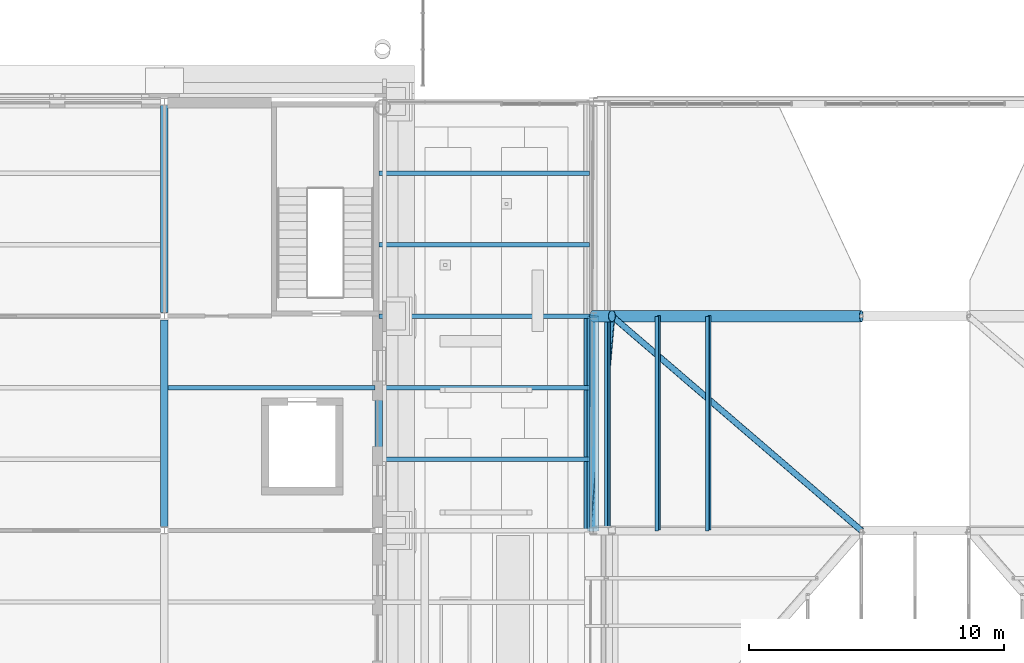
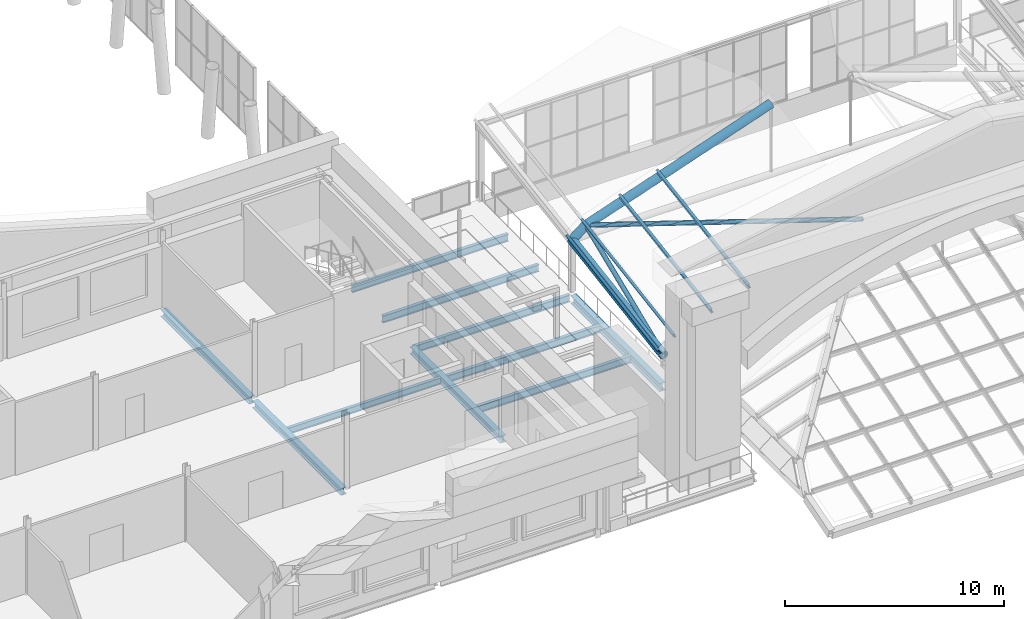
# One storey, part 16 of 76: 13 beams, 6 members.
"""IFC4 building model written with IfcOpenShell, lengths in metres."""

from ifc_helpers import new_model, si_unit, direction, frame, origin, origin_2d, place, context, subcontext, project, spatial, hollow_circle, i_section, extrude, material, material_profile, profile_set, type_object, element, save


model = new_model("IFC4")

# Units and contexts
model_context = context("Model", 3, precision=1e-05, world=origin(), true_north=direction((0.0, 1.0)))
body_context = subcontext(model_context, "Body", "Model", "MODEL_VIEW")
ifc_project = project(units=[si_unit("LENGTHUNIT", "METRE"), si_unit("AREAUNIT", "SQUARE_METRE"), si_unit("VOLUMEUNIT", "CUBIC_METRE"), si_unit("PLANEANGLEUNIT", "RADIAN"), si_unit("MASSUNIT", "GRAM", prefix="KILO")], contexts=[model_context])

# Site, building, storey
site_placement = place(None, origin())
site = spatial("IfcSite", under=ifc_project, at=site_placement, CompositionType="ELEMENT")
building_placement = place(site_placement, origin())
building = spatial("IfcBuilding", under=site, at=building_placement, Name="Sava Quay Ferry Terminal", CompositionType="ELEMENT")
storey_placement = place(building_placement, frame((0.0, 0.0, 10.800048828125)))
storey = spatial("IfcBuildingStorey", under=building, at=storey_placement, Name="L02", CompositionType="ELEMENT", Elevation=10.800048828125)

# Beams
ifc_material_1 = material(Name="Steel S355", Category="steel")
ifc_material_profile_1 = material_profile(ifc_material_1, hollow_circle(Radius=0.228515625, WallThickness=0.01611328125, at=origin_2d()), Name="CHS 457 x 16.0")
ifc_profile_set_1 = profile_set([ifc_material_profile_1], Name="Steel S355")
beam_type_1 = type_object("IfcBeamType", Name="Arch rib CHS 457x16", PredefinedType="BEAM", material=ifc_profile_set_1)
beam_1_placement = place(storey_placement, frame((50.39990234375, 42.0, 2.81494140625), z_axis=(0.788016382432, 0.0, 0.61565427069), x_axis=(0.0, 1.0, 0.0)))
element("IfcBeam", 1, at=beam_1_placement, inside=storey, type_object=beam_type_1, Name="Arrivals hall arch rib R1 seg 1", PredefinedType="BEAM", context=body_context, shape_type="SweptSolid", body=[
    extrude(hollow_circle(Radius=0.228515625, WallThickness=0.01611328125, at=origin_2d()), origin(), (0.0, 0.0, 1.0), 0.92626953125),
])
beam_2_placement = place(storey_placement, frame((51.1298828125, 42.0, 3.38525390625), z_axis=(0.945520775213, 0.0, 0.325561766247), x_axis=(0.0, 1.0, 0.0)))
element("IfcBeam", 2, at=beam_2_placement, inside=storey, type_object=beam_type_1, Name="Arrivals hall arch rib R1 seg 2", PredefinedType="BEAM", context=body_context, shape_type="SweptSolid", body=[
    extrude(hollow_circle(Radius=0.228515625, WallThickness=0.01611328125, at=origin_2d()), origin(), (0.0, 0.0, 1.0), 10.3330078125),
])
ifc_material_2 = material(Name="Steel S355", Category="steel")
ifc_material_profile_2 = material_profile(ifc_material_2, i_section(OverallWidth=0.169921875, OverallDepth=0.360107421875, WebThickness=0.008056640625, FlangeThickness=0.0126953125, at=origin_2d()), Name="IPE 360")
ifc_profile_set_2 = profile_set([ifc_material_profile_2], Name="Steel S355")
beam_type_2 = type_object("IfcBeamType", Name="Beam IPE 360", PredefinedType="BEAM", material=ifc_profile_set_2)
beam_3_placement = place(storey_placement, frame((33.75, 39.199951171875, -0.31005859375), z_axis=(1.0, 0.0, 0.0), x_axis=(0.0, 1.0, 0.0)))
element("IfcBeam", 3, at=beam_3_placement, inside=storey, type_object=beam_type_2, Name="Secondary beam L02", PredefinedType="BEAM", context=body_context, shape_type="SweptSolid", body=[
    extrude(i_section(OverallWidth=0.169921875, OverallDepth=0.360107421875, WebThickness=0.008056640625, FlangeThickness=0.0126953125, at=origin_2d()), origin(), (0.0, 0.0, 1.0), 8.10009765625),
])
ifc_material_3 = material(Name="Steel S355", Category="steel")
ifc_material_profile_3 = material_profile(ifc_material_3, i_section(OverallWidth=0.179931640625, OverallDepth=0.39990234375, WebThickness=0.008544921875, FlangeThickness=0.013427734375, at=origin_2d()), Name="IPE 400")
ifc_profile_set_3 = profile_set([ifc_material_profile_3], Name="Steel S355")
beam_type_3 = type_object("IfcBeamType", Name="Beam IPE 400", PredefinedType="BEAM", material=ifc_profile_set_3)
beam_4_placement = place(storey_placement, frame((42.0, 42.0, -0.35009765625), z_axis=(1.0, 0.0, 0.0), x_axis=(0.0, 1.0, 0.0)))
element("IfcBeam", 4, at=beam_4_placement, inside=storey, type_object=beam_type_3, Name="Beam L02", PredefinedType="BEAM", context=body_context, shape_type="SweptSolid", body=[
    extrude(i_section(OverallWidth=0.179931640625, OverallDepth=0.39990234375, WebThickness=0.008544921875, FlangeThickness=0.013427734375, at=origin_2d()), origin(), (0.0, 0.0, 1.0), 8.27001953125),
])
for number, where, z_axis, x_axis, name in (
    (5, (42.14990234375, 36.39990234375, -0.35009765625), (1.0, 0.0, 0.0), (0.0, 1.0, 0.0), "Secondary beam L02"),
    (6, (42.14990234375, 39.199951171875, -0.35009765625), (1.0, 0.0, 0.0), (0.0, 1.0, 0.0), "Secondary beam L02"),
):
    element("IfcBeam", number, at=place(storey_placement, frame(where, z_axis=z_axis, x_axis=x_axis)), inside=storey, type_object=beam_type_3, Name=name, PredefinedType="BEAM", context=body_context, shape_type="SweptSolid", body=[
        extrude(i_section(OverallWidth=0.179931640625, OverallDepth=0.39990234375, WebThickness=0.008544921875, FlangeThickness=0.013427734375, at=origin_2d()), origin(), (0.0, 0.0, 1.0), 8.10009765625),
    ])
for number, where, z_axis, x_axis, name in (
    (7, (42.0, 44.800048828125, -0.35009765625), (1.0, 0.0, 0.0), (0.0, 1.0, 0.0), "Secondary beam L02"),
    (8, (42.0, 47.60009765625, -0.35009765625), (1.0, 0.0, 0.0), (0.0, 1.0, 0.0), "Secondary beam L02"),
):
    element("IfcBeam", number, at=place(storey_placement, frame(where, z_axis=z_axis, x_axis=x_axis)), inside=storey, type_object=beam_type_3, Name=name, PredefinedType="BEAM", context=body_context, shape_type="SweptSolid", body=[
        extrude(i_section(OverallWidth=0.179931640625, OverallDepth=0.39990234375, WebThickness=0.008544921875, FlangeThickness=0.013427734375, at=origin_2d()), origin(), (0.0, 0.0, 1.0), 8.25),
    ])
ifc_material_4 = material(Name="Steel S355", Category="steel")
ifc_material_profile_4 = material_profile(ifc_material_4, hollow_circle(Radius=0.228515625, WallThickness=0.01611328125, at=origin_2d()), Name="CHS 457 x 16.0")
ifc_profile_set_4 = profile_set([ifc_material_profile_4], Name="Steel S355")
beam_type_4 = type_object("IfcBeamType", Name="Eave beam CHS 457x16", PredefinedType="BEAM", material=ifc_profile_set_4)
beam_5_placement = place(storey_placement, frame((50.39990234375, 33.60009765625, 1.466064453125), z_axis=(0.0, 0.987350755247, 0.158551209752), x_axis=(-1.0, 0.0, 0.0)))
element("IfcBeam", 9, at=beam_5_placement, inside=storey, type_object=beam_type_4, Name="Arrivals hall eave beam L1", PredefinedType="BEAM", context=body_context, shape_type="SweptSolid", body=[
    extrude(hollow_circle(Radius=0.228515625, WallThickness=0.01611328125, at=origin_2d()), origin(), (0.0, 0.0, 1.0), 8.507568359375),
])
ifc_material_5 = material(Name="Steel S355", Category="steel")
ifc_material_profile_5 = material_profile(ifc_material_5, i_section(OverallWidth=0.300048828125, OverallDepth=0.389892578125, WebThickness=0.010986328125, FlangeThickness=0.01904296875, at=origin_2d()), Name="HE 400 A")
ifc_profile_set_5 = profile_set([ifc_material_profile_5], Name="Steel S355")
beam_type_5 = type_object("IfcBeamType", Name="Girder HE 400 A", PredefinedType="BEAM", material=ifc_profile_set_5)
for number, where, z_axis, x_axis, name in (
    (10, (33.60009765625, 33.75, -0.324951171875), (0.0, 1.0, 0.0), (-1.0, 0.0, 0.0), "Girder L02"),
    (11, (33.60009765625, 42.14990234375, -0.324951171875), (0.0, 1.0, 0.0), (-1.0, 0.0, 0.0), "Girder L02"),
):
    element("IfcBeam", number, at=place(storey_placement, frame(where, z_axis=z_axis, x_axis=x_axis)), inside=storey, type_object=beam_type_5, Name=name, PredefinedType="BEAM", context=body_context, shape_type="SweptSolid", body=[
        extrude(i_section(OverallWidth=0.300048828125, OverallDepth=0.389892578125, WebThickness=0.010986328125, FlangeThickness=0.01904296875, at=origin_2d()), origin(), (0.0, 0.0, 1.0), 8.10009765625),
    ])
beam_6_placement = place(storey_placement, frame((42.0, 33.72998046875, -0.344970703125), z_axis=(0.0, 1.0, 0.0), x_axis=(-1.0, 0.0, 0.0)))
element("IfcBeam", 12, at=beam_6_placement, inside=storey, type_object=beam_type_5, Name="Girder L02", PredefinedType="BEAM", context=body_context, shape_type="SweptSolid", body=[
    extrude(i_section(OverallWidth=0.300048828125, OverallDepth=0.389892578125, WebThickness=0.010986328125, FlangeThickness=0.01904296875, at=origin_2d()), origin(), (0.0, 0.0, 1.0), 8.27001953125),
])
ifc_material_6 = material(Name="Steel S355", Category="steel")
ifc_material_profile_6 = material_profile(ifc_material_6, i_section(OverallWidth=0.300048828125, OverallDepth=0.449951171875, WebThickness=0.013916015625, FlangeThickness=0.02587890625, at=origin_2d()), Name="HE 450 B")
ifc_profile_set_6 = profile_set([ifc_material_profile_6], Name="Steel S355")
beam_type_6 = type_object("IfcBeamType", Name="Girder HE 450 B", PredefinedType="BEAM", material=ifc_profile_set_6)
beam_7_placement = place(storey_placement, frame((50.39990234375, 33.72998046875, -0.375), z_axis=(0.0, 1.0, 0.0), x_axis=(-1.0, 0.0, 0.0)))
element("IfcBeam", 13, at=beam_7_placement, inside=storey, type_object=beam_type_6, Name="Girder L02", PredefinedType="BEAM", context=body_context, shape_type="SweptSolid", body=[
    extrude(i_section(OverallWidth=0.300048828125, OverallDepth=0.449951171875, WebThickness=0.013916015625, FlangeThickness=0.02587890625, at=origin_2d()), origin(), (0.0, 0.0, 1.0), 8.14013671875),
])

# Members
ifc_material_7 = material(Name="Steel S355", Category="steel")
ifc_material_profile_7 = material_profile(ifc_material_7, hollow_circle(Radius=0.122314453125, WallThickness=0.008056640625, at=origin_2d()), Name="CHS 244.5 x 8.0")
ifc_profile_set_7 = profile_set([ifc_material_profile_7], Name="Steel S355")
member_type_1 = type_object("IfcMemberType", Name="Roof brace CHS 244.5x8", PredefinedType="BRACE", material=ifc_profile_set_7)
member_1_placement = place(storey_placement, frame((50.39990234375, 33.60009765625, 1.466064453125), z_axis=(0.084417877048, 0.971398487532, 0.221942786447), x_axis=(-0.996245150167, 0.086577137679, 0.0)))
element("IfcMember", 14, at=member_1_placement, inside=storey, type_object=member_type_1, Name="Arrivals hall roof brace bay 1 panel 1", PredefinedType="BRACE", context=body_context, shape_type="SweptSolid", body=[
    extrude(hollow_circle(Radius=0.122314453125, WallThickness=0.008056640625, at=origin_2d()), origin(), (0.0, 0.0, 1.0), 8.647216796875),
])
member_2_placement = place(storey_placement, frame((60.89990234375, 33.60009765625, 5.400390625), z_axis=(-0.74916674312, 0.644105926428, -0.154521022982), x_axis=(-0.651936003352, -0.758273992389, 0.0)))
element("IfcMember", 15, at=member_2_placement, inside=storey, type_object=member_type_1, Name="Arrivals hall roof brace bay 1 panel 2", PredefinedType="BRACE", context=body_context, shape_type="SweptSolid", body=[
    extrude(hollow_circle(Radius=0.122314453125, WallThickness=0.008056640625, at=origin_2d()), origin(), (0.0, 0.0, 1.0), 13.041259765625),
])
ifc_material_8 = material(Name="Steel S355", Category="steel")
ifc_material_profile_8 = material_profile(ifc_material_8, i_section(OverallWidth=0.135009765625, OverallDepth=0.27001953125, WebThickness=0.006591796875, FlangeThickness=0.01025390625, at=origin_2d()), Name="IPE 270")
ifc_profile_set_8 = profile_set([ifc_material_profile_8], Name="Steel S355")
member_type_2 = type_object("IfcMemberType", Name="Roof purlin IPE 270", PredefinedType="PURLIN", material=ifc_profile_set_8)
for number, where, z_axis, x_axis, name in (
    (16, (50.177978515625, 33.60009765625, 1.757568359375), (0.0, 0.987350755247, 0.158551209752), (-0.791792656419, 0.09684148888, -0.603063939623), "Arrivals hall edge purlin bay 1 V0"),
    (17, (50.955810546875, 33.60009765625, 2.365234375), (0.0, 0.987350755247, 0.158551209752), (-0.881207713377, 0.074951798175, -0.466749605072), "Arrivals hall purlin bay 1 V1"),
    (18, (52.9326171875, 33.60009765625, 3.0458984375), (0.0, 0.987350755247, 0.158551209752), (-0.946780982947, 0.051034225954, -0.317806982477), "Arrivals hall purlin bay 1 M1.1"),
    (19, (54.909423828125, 33.60009765625, 3.7265625), (0.0, 0.987350755247, 0.158551209752), (-0.946780982947, 0.051034225954, -0.317806982477), "Arrivals hall purlin bay 1 M1.2"),
):
    element("IfcMember", number, at=place(storey_placement, frame(where, z_axis=z_axis, x_axis=x_axis)), inside=storey, type_object=member_type_2, Name=name, PredefinedType="PURLIN", context=body_context, shape_type="SweptSolid", body=[
        extrude(i_section(OverallWidth=0.135009765625, OverallDepth=0.27001953125, WebThickness=0.006591796875, FlangeThickness=0.01025390625, at=origin_2d()), origin(), (0.0, 0.0, 1.0), 8.507568359375),
    ])

save(model, "model.ifc")
